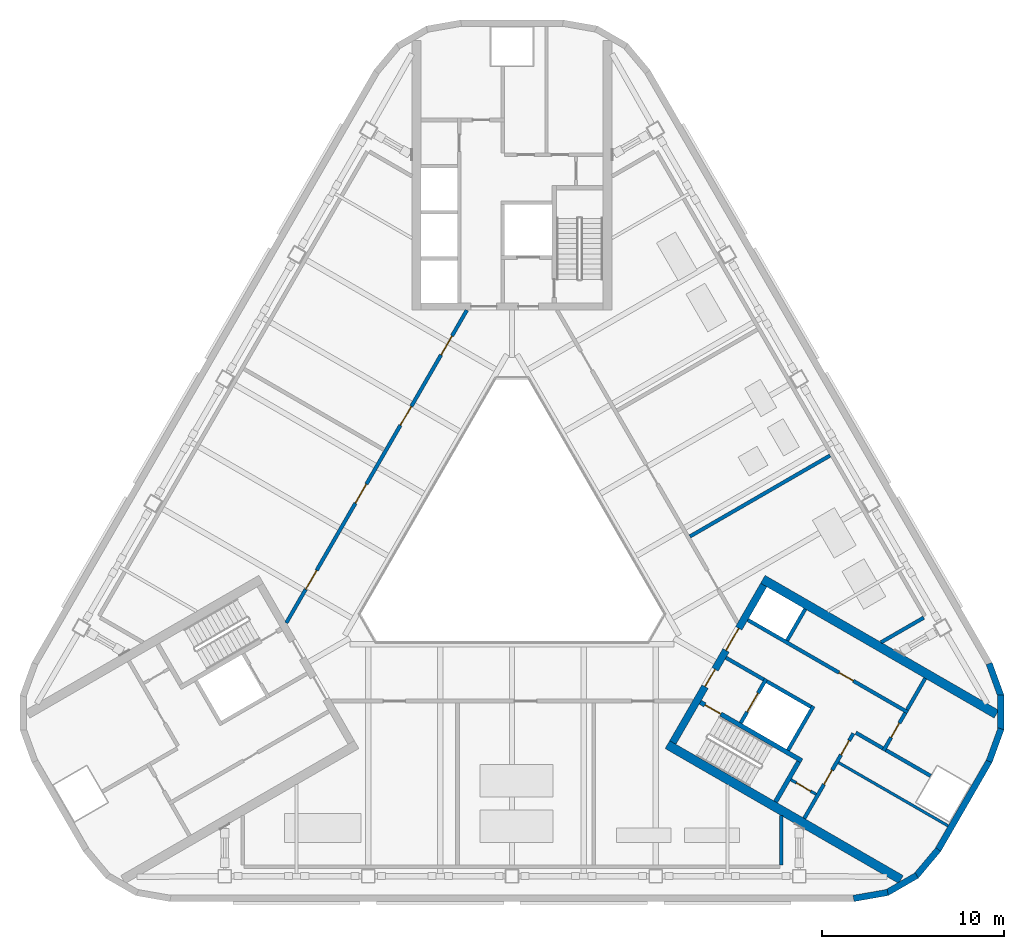
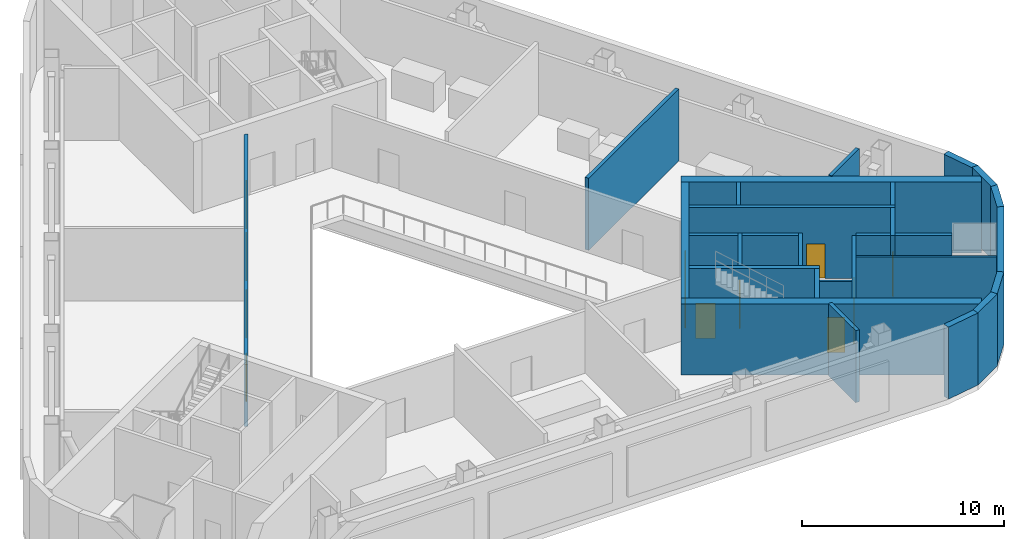
# One storey, part 7 of 14: 29 walls, 13 doors, 13 openings.
"""IFC4 building model written with IfcOpenShell, lengths in metres."""

from ifc_helpers import new_model, si_unit, direction, frame, frame_2d, origin, place, context, subcontext, project, spatial, rectangle, extrude, material, layer, layer_set, type_object, element, fill, save


model = new_model("IFC4")

# Units and contexts
model_context = context("Model", 3, precision=1e-05, world=origin(), true_north=direction((0.0, 1.0)))
body_context = subcontext(model_context, "Body", "Model", "MODEL_VIEW")
ifc_project = project(units=[si_unit("LENGTHUNIT", "METRE"), si_unit("AREAUNIT", "SQUARE_METRE"), si_unit("VOLUMEUNIT", "CUBIC_METRE"), si_unit("PLANEANGLEUNIT", "RADIAN"), si_unit("MASSUNIT", "GRAM", prefix="KILO")], contexts=[model_context])

# Site, building, storey
site_placement = place(None, origin())
site = spatial("IfcSite", under=ifc_project, at=site_placement, CompositionType="ELEMENT")
building_placement = place(site_placement, origin())
building = spatial("IfcBuilding", under=site, at=building_placement, Name="Apuvela Tower Hotel", CompositionType="ELEMENT")
storey_placement = place(building_placement, frame((0.0, 0.0, 242.199951171875)))
storey = spatial("IfcBuildingStorey", under=building, at=storey_placement, Name="L59 Plant", CompositionType="ELEMENT", Elevation=242.199951171875)

# Wall, openings, doors
ifc_material_1 = material(Name="Concrete C50/60", Category="concrete")
ifc_layer_1 = layer(ifc_material_1, 0.39990234375)
ifc_layer_set_1 = layer_set([ifc_layer_1], Name="COR-WALL-CORE-400")
wall_type_1 = type_object("IfcWallType", Name="COR-WALL-CORE-400", PredefinedType="SHEAR", material=ifc_layer_set_1)
wall_1_placement = place(storey_placement, frame((8.844970703125, -10.880126953125, 0.0), z_axis=(0.0, 0.0, 1.0), x_axis=(0.500004234368, 0.866022959057, 0.0)))
wall_1 = element("IfcWall", 1, at=wall_1_placement, inside=storey, type_object=wall_type_1, Name="Core wall SE", PredefinedType="SHEAR", context=body_context, shape_type="SweptSolid", body=[
    extrude(rectangle(XDim=10.0, YDim=0.39990234375, at=frame_2d((5.0, 0.0))), origin(), (0.0, 0.0, 1.0), 4.300048828125),
])
opening_1_placement = place(wall_1_placement, frame((3.550048828125, 0.0, 0.0)))
opening_1 = element("IfcOpeningElement", 2, at=opening_1_placement, cuts=wall_1, Name="Opening E-FD", PredefinedType="OPENING", context=body_context, shape_type="SweptSolid", body=[
    extrude(rectangle(XDim=1.10009765625, YDim=2.10009765625, at=frame_2d((0.550048828125, 1.050048828125))), frame((0.0, 0.2099609375, 0.0), z_axis=(0.0, -1.0, 0.0), x_axis=(1.0, 0.0, 0.0)), (0.0, 0.0, 1.0), 0.419921875),
])
opening_2_placement = place(wall_1_placement, frame((5.85009765625, 0.0, 0.0)))
opening_2 = element("IfcOpeningElement", 3, at=opening_2_placement, cuts=wall_1, Name="Opening E-GD", PredefinedType="OPENING", context=body_context, shape_type="SweptSolid", body=[
    extrude(rectangle(XDim=1.39990234375, YDim=2.10009765625, at=frame_2d((0.699951171875, 1.050048828125))), frame((0.0, 0.2099609375, 0.0), z_axis=(0.0, -1.0, 0.0), x_axis=(1.0, 0.0, 0.0)), (0.0, 0.0, 1.0), 0.419921875),
])
ifc_material_2 = material(Name="Steel fire door, powder coated", Category="steel")
door_type_1 = type_object("IfcDoorType", Name="COR-FD-1100", OperationType="NOTDEFINED", PredefinedType="DOOR", material=ifc_material_2)
door_1_placement = place(opening_1_placement, frame((1.10009765625, 0.0, 0.0), z_axis=(0.0, 0.0, 1.0), x_axis=(-1.0, 0.0, 0.0)))
door_1 = element("IfcDoor", 4, at=door_1_placement, inside=storey, type_object=door_type_1, Name="Firefighting lobby door E-FD", OperationType="SINGLE_SWING_LEFT", OverallHeight=2.10009765625, OverallWidth=1.10009765625, PredefinedType="DOOR", context=body_context, shape_type="SweptSolid", body=[
    extrude(rectangle(XDim=1.10009765625, YDim=2.10009765625, at=frame_2d((0.550048828125, 1.050048828125))), frame((0.0, 0.02490234375, 0.0), z_axis=(0.0, -1.0, 0.0), x_axis=(1.0, 0.0, 0.0)), (0.0, 0.0, 1.0), 0.050048828125),
])
fill(opening_1, door_1)
ifc_material_3 = material(Name="Glazed steel fire door", Category="steel")
door_type_2 = type_object("IfcDoorType", Name="COR-GD-1400", OperationType="DOUBLE_DOOR_SINGLE_SWING", PredefinedType="DOOR", material=ifc_material_3)
door_2_placement = place(opening_2_placement, frame((1.39990234375, 0.0, 0.0), z_axis=(0.0, 0.0, 1.0), x_axis=(-1.0, 0.0, 0.0)))
door_2 = element("IfcDoor", 5, at=door_2_placement, inside=storey, type_object=door_type_2, Name="Lift lobby door E-GD", OperationType="DOUBLE_DOOR_SINGLE_SWING", OverallHeight=2.10009765625, OverallWidth=1.39990234375, PredefinedType="DOOR", context=body_context, shape_type="SweptSolid", body=[
    extrude(rectangle(XDim=1.39990234375, YDim=2.10009765625, at=frame_2d((0.699951171875, 1.050048828125))), frame((0.0, 0.02490234375, 0.0), z_axis=(0.0, -1.0, 0.0), x_axis=(1.0, 0.0, 0.0)), (0.0, 0.0, 1.0), 0.050048828125),
])
fill(opening_2, door_2)

# Walls
ifc_layer_2 = layer(ifc_material_1, 0.5)
ifc_layer_set_2 = layer_set([ifc_layer_2], Name="COR-WALL-CORE-500")
wall_type_2 = type_object("IfcWallType", Name="COR-WALL-CORE-500", PredefinedType="SHEAR", material=ifc_layer_set_2)
for number, where, z_axis, x_axis, name in (
    (6, (8.546630859375, -10.99658203125, 0.0), (0.0, 0.0, 1.0), (0.866025009528, -0.500000682871, 0.0), "Core wall SE"),
    (7, (13.796630859375, -1.9033203125, 0.0), (0.0, 0.0, 1.0), (0.866025009528, -0.500000682871, 0.0), "Core wall SE"),
):
    element("IfcWall", number, at=place(storey_placement, frame(where, z_axis=z_axis, x_axis=x_axis)), inside=storey, type_object=wall_type_2, Name=name, PredefinedType="SHEAR", context=body_context, shape_type="SweptSolid", body=[
        extrude(rectangle(XDim=14.8369140625, YDim=0.5, at=frame_2d((7.41845703125, 0.0))), origin(), (0.0, 0.0, 1.0), 4.300048828125),
    ])

# Wall, opening, door
ifc_material_4 = material(Name="Blockwork 150 mm plastered", Category="masonry")
ifc_layer_3 = layer(ifc_material_4, 0.14990234375)
ifc_layer_set_3 = layer_set([ifc_layer_3], Name="COR-WALL-PART-150")
wall_type_3 = type_object("IfcWallType", Name="COR-WALL-PART-150", PredefinedType="PARTITIONING", material=ifc_layer_set_3)
wall_2_placement = place(storey_placement, frame((15.341552734375, -12.927734375, 0.0), z_axis=(0.0, 0.0, 1.0), x_axis=(0.865989903783, -0.500061482766, 0.0)))
wall_2 = element("IfcWall", 8, at=wall_2_placement, inside=storey, type_object=wall_type_3, Name="Partition SE", PredefinedType="PARTITIONING", context=body_context, shape_type="SweptSolid", body=[
    extrude(rectangle(XDim=1.599853515625, YDim=0.14990234375, at=frame_2d((0.7998046875, 0.0))), origin(), (0.0, 0.0, 1.0), 4.300048828125),
])
opening_3_placement = place(wall_2_placement, frame((0.35009765625, 0.0, 0.0)))
opening_3 = element("IfcOpeningElement", 9, at=opening_3_placement, cuts=wall_2, Name="Opening E-RD", PredefinedType="OPENING", context=body_context, shape_type="SweptSolid", body=[
    extrude(rectangle(XDim=0.89990234375, YDim=2.10009765625, at=frame_2d((0.449951171875, 1.050048828125))), frame((0.0, 0.0849609375, 0.0), z_axis=(0.0, -1.0, 0.0), x_axis=(1.0, 0.0, 0.0)), (0.0, 0.0, 1.0), 0.169921875),
])
ifc_material_5 = material(Name="Steel access door, powder coated", Category="steel")
door_type_3 = type_object("IfcDoorType", Name="COR-RD-900", OperationType="NOTDEFINED", PredefinedType="DOOR", material=ifc_material_5)
door_3_placement = place(opening_3_placement, frame((0.89990234375, 0.0, 0.0), z_axis=(0.0, 0.0, 1.0), x_axis=(-1.0, 0.0, 0.0)))
door_3 = element("IfcDoor", 10, at=door_3_placement, inside=storey, type_object=door_type_3, Name="Riser door E-RD", OperationType="SINGLE_SWING_LEFT", OverallHeight=2.10009765625, OverallWidth=0.89990234375, PredefinedType="DOOR", context=body_context, shape_type="SweptSolid", body=[
    extrude(rectangle(XDim=0.89990234375, YDim=2.10009765625, at=frame_2d((0.449951171875, 1.050048828125))), frame((0.0, 0.02490234375, 0.0), z_axis=(0.0, -1.0, 0.0), x_axis=(1.0, 0.0, 0.0)), (0.0, 0.0, 1.0), 0.050048828125),
])
fill(opening_3, door_3)

# Wall
wall_3_placement = place(storey_placement, frame((17.962890625, -11.9873046875, 0.0), z_axis=(0.0, 0.0, 1.0), x_axis=(0.866016523273, -0.500015381182, 0.0)))
element("IfcWall", 11, at=wall_3_placement, inside=storey, type_object=wall_type_3, Name="Partition SE", PredefinedType="PARTITIONING", context=body_context, shape_type="SweptSolid", body=[
    extrude(rectangle(XDim=6.949951171875, YDim=0.14990234375, at=frame_2d((3.47509765625, 0.0))), origin(), (0.0, 0.0, 1.0), 4.300048828125),
])

# Wall, openings, doors
ifc_material_6 = material(Name="Blockwork 200 mm plastered", Category="masonry")
ifc_layer_4 = layer(ifc_material_6, 0.199951171875)
ifc_layer_set_4 = layer_set([ifc_layer_4], Name="COR-WALL-PART-200")
wall_type_4 = type_object("IfcWallType", Name="COR-WALL-PART-200", PredefinedType="PARTITIONING", material=ifc_layer_set_4)
wall_4_placement = place(storey_placement, frame((16.076171875, -15.05517578125, 0.0), z_axis=(0.0, 0.0, 1.0), x_axis=(0.499995103361, 0.866028230842, 0.0)))
wall_4 = element("IfcWall", 12, at=wall_4_placement, inside=storey, type_object=wall_type_4, Name="Partition SE", PredefinedType="PARTITIONING", context=body_context, shape_type="SweptSolid", body=[
    extrude(rectangle(XDim=5.39990234375, YDim=0.199951171875, at=frame_2d((2.699951171875, 0.0))), origin(), (0.0, 0.0, 1.0), 4.300048828125),
])
opening_4_placement = place(wall_4_placement, frame((2.16259765625, 0.0, 0.0)))
opening_4 = element("IfcOpeningElement", 13, at=opening_4_placement, cuts=wall_4, Name="Opening E-RS1", PredefinedType="OPENING", context=body_context, shape_type="SweptSolid", body=[
    extrude(rectangle(XDim=0.89990234375, YDim=2.10009765625, at=frame_2d((0.449951171875, 1.050048828125))), frame((0.0, 0.10986328125, 0.0), z_axis=(0.0, -1.0, 0.0), x_axis=(1.0, 0.0, 0.0)), (0.0, 0.0, 1.0), 0.219970703125),
])
opening_5_placement = place(wall_4_placement, frame((4.03759765625, 0.0, 0.0)))
opening_5 = element("IfcOpeningElement", 14, at=opening_5_placement, cuts=wall_4, Name="Opening E-RS2", PredefinedType="OPENING", context=body_context, shape_type="SweptSolid", body=[
    extrude(rectangle(XDim=0.89990234375, YDim=2.10009765625, at=frame_2d((0.449951171875, 1.050048828125))), frame((0.0, 0.10986328125, 0.0), z_axis=(0.0, -1.0, 0.0), x_axis=(1.0, 0.0, 0.0)), (0.0, 0.0, 1.0), 0.219970703125),
])
door_type_4 = type_object("IfcDoorType", Name="COR-DR-900", OperationType="NOTDEFINED", PredefinedType="DOOR", material=ifc_material_2)
door_4_placement = place(opening_4_placement, frame((0.89990234375, 0.0, 0.0), z_axis=(0.0, 0.0, 1.0), x_axis=(-1.0, 0.0, 0.0)))
door_4 = element("IfcDoor", 15, at=door_4_placement, inside=storey, type_object=door_type_4, Name="Store door E-RS1", OperationType="SINGLE_SWING_LEFT", OverallHeight=2.10009765625, OverallWidth=0.89990234375, PredefinedType="DOOR", context=body_context, shape_type="SweptSolid", body=[
    extrude(rectangle(XDim=0.89990234375, YDim=2.10009765625, at=frame_2d((0.449951171875, 1.050048828125))), frame((0.0, 0.02490234375, 0.0), z_axis=(0.0, -1.0, 0.0), x_axis=(1.0, 0.0, 0.0)), (0.0, 0.0, 1.0), 0.050048828125),
])
fill(opening_4, door_4)
door_5_placement = place(opening_5_placement, frame((0.89990234375, 0.0, 0.0), z_axis=(0.0, 0.0, 1.0), x_axis=(-1.0, 0.0, 0.0)))
door_5 = element("IfcDoor", 16, at=door_5_placement, inside=storey, type_object=door_type_4, Name="Store door E-RS2", OperationType="SINGLE_SWING_LEFT", OverallHeight=2.10009765625, OverallWidth=0.89990234375, PredefinedType="DOOR", context=body_context, shape_type="SweptSolid", body=[
    extrude(rectangle(XDim=0.89990234375, YDim=2.10009765625, at=frame_2d((0.449951171875, 1.050048828125))), frame((0.0, 0.02490234375, 0.0), z_axis=(0.0, -1.0, 0.0), x_axis=(1.0, 0.0, 0.0)), (0.0, 0.0, 1.0), 0.050048828125),
])
fill(opening_5, door_5)

# Wall
ifc_layer_5 = layer(ifc_material_1, 0.199951171875)
ifc_layer_set_5 = layer_set([ifc_layer_5], Name="COR-WALL-SHAFT-200")
wall_type_5 = type_object("IfcWallType", Name="COR-WALL-SHAFT-200", PredefinedType="SHEAR", material=ifc_layer_set_5)
wall_5_placement = place(storey_placement, frame((15.181396484375, -11.305419921875, 0.0), z_axis=(0.0, 0.0, 1.0), x_axis=(0.49994636267, 0.866056369097, 0.0)))
element("IfcWall", 17, at=wall_5_placement, inside=storey, type_object=wall_type_5, Name="Shaft wall SE", PredefinedType="SHEAR", context=body_context, shape_type="SweptSolid", body=[
    extrude(rectangle(XDim=2.800048828125, YDim=0.199951171875, at=frame_2d((1.39990234375, 0.0))), origin(), (0.0, 0.0, 1.0), 4.300048828125),
])

# Wall, opening, door
wall_6_placement = place(storey_placement, frame((12.583251953125, -9.805419921875, 0.0), z_axis=(0.0, 0.0, 1.0), x_axis=(0.49994636267, 0.866056369097, 0.0)))
wall_6 = element("IfcWall", 18, at=wall_6_placement, inside=storey, type_object=wall_type_5, Name="Shaft wall SE", PredefinedType="SHEAR", context=body_context, shape_type="SweptSolid", body=[
    extrude(rectangle(XDim=2.800048828125, YDim=0.199951171875, at=frame_2d((1.39990234375, 0.0))), origin(), (0.0, 0.0, 1.0), 4.300048828125),
])
opening_6_placement = place(wall_6_placement, frame((0.699951171875, 0.0, 0.0)))
opening_6 = element("IfcOpeningElement", 19, at=opening_6_placement, cuts=wall_6, Name="Opening E-LD-FS3", PredefinedType="OPENING", context=body_context, shape_type="SweptSolid", body=[
    extrude(rectangle(XDim=1.199951171875, YDim=2.10009765625, at=frame_2d((0.60009765625, 1.050048828125))), frame((0.0, 0.10986328125, 0.0), z_axis=(0.0, -1.0, 0.0), x_axis=(1.0, 0.0, 0.0)), (0.0, 0.0, 1.0), 0.219970703125),
])
ifc_material_7 = material(Name="Stainless steel lift landing door", Category="steel")
door_type_5 = type_object("IfcDoorType", Name="COR-LD-1200", OperationType="DOUBLE_DOOR_SLIDING", PredefinedType="DOOR", material=ifc_material_7)
door_6_placement = place(opening_6_placement, origin())
door_6 = element("IfcDoor", 20, at=door_6_placement, inside=storey, type_object=door_type_5, Name="Lift landing door E-LD-FS3", OperationType="DOUBLE_DOOR_SLIDING", OverallHeight=2.10009765625, OverallWidth=1.199951171875, PredefinedType="DOOR", context=body_context, shape_type="SweptSolid", body=[
    extrude(rectangle(XDim=1.199951171875, YDim=2.10009765625, at=frame_2d((0.60009765625, 1.050048828125))), frame((0.0, 0.02490234375, 0.0), z_axis=(0.0, -1.0, 0.0), x_axis=(1.0, 0.0, 0.0)), (0.0, 0.0, 1.0), 0.050048828125),
])
fill(opening_6, door_6)

# Walls
wall_7_placement = place(storey_placement, frame((11.76806640625, -6.217041015625, 0.0), z_axis=(0.0, 0.0, 1.0), x_axis=(0.866050077142, -0.499957262057, 0.0)))
element("IfcWall", 21, at=wall_7_placement, inside=storey, type_object=wall_type_5, Name="Shaft wall SE", PredefinedType="SHEAR", context=body_context, shape_type="SweptSolid", body=[
    extrude(rectangle(XDim=2.400146484375, YDim=0.199951171875, at=frame_2d((1.2001953125, 0.0))), origin(), (0.0, 0.0, 1.0), 4.300048828125),
])
wall_8_placement = place(storey_placement, frame((14.019775390625, -7.51708984375, 0.0), z_axis=(0.0, 0.0, 1.0), x_axis=(0.866034573852, -0.49998411664, 0.0)))
element("IfcWall", 22, at=wall_8_placement, inside=storey, type_object=wall_type_5, Name="Shaft wall SE", PredefinedType="SHEAR", context=body_context, shape_type="SweptSolid", body=[
    extrude(rectangle(XDim=2.7998046875, YDim=0.199951171875, at=frame_2d((1.39990234375, 0.0))), origin(), (0.0, 0.0, 1.0), 4.300048828125),
])

# Wall, opening, door
wall_9_placement = place(storey_placement, frame((12.968017578125, -4.138427734375, 0.0), z_axis=(0.0, 0.0, 1.0), x_axis=(0.866028328073, -0.49999493495, 0.0)))
wall_9 = element("IfcWall", 23, at=wall_9_placement, inside=storey, type_object=wall_type_5, Name="Shaft wall SE", PredefinedType="SHEAR", context=body_context, shape_type="SweptSolid", body=[
    extrude(rectangle(XDim=10.16015625, YDim=0.199951171875, at=frame_2d((5.080078125, 0.0))), origin(), (0.0, 0.0, 1.0), 4.300048828125),
])
opening_7_placement = place(wall_9_placement, frame((5.800048828125, 0.0, 0.0)))
opening_7 = element("IfcOpeningElement", 24, at=opening_7_placement, cuts=wall_9, Name="Opening E-RE2", PredefinedType="OPENING", context=body_context, shape_type="SweptSolid", body=[
    extrude(rectangle(XDim=0.89990234375, YDim=2.10009765625, at=frame_2d((0.449951171875, 1.050048828125))), frame((0.0, 0.10986328125, 0.0), z_axis=(0.0, -1.0, 0.0), x_axis=(1.0, 0.0, 0.0)), (0.0, 0.0, 1.0), 0.219970703125),
])
door_7_placement = place(opening_7_placement, origin())
door_7 = element("IfcDoor", 25, at=door_7_placement, inside=storey, type_object=door_type_4, Name="Store door E-RE2", OperationType="SINGLE_SWING_LEFT", OverallHeight=2.10009765625, OverallWidth=0.89990234375, PredefinedType="DOOR", context=body_context, shape_type="SweptSolid", body=[
    extrude(rectangle(XDim=0.89990234375, YDim=2.10009765625, at=frame_2d((0.449951171875, 1.050048828125))), frame((0.0, 0.02490234375, 0.0), z_axis=(0.0, -1.0, 0.0), x_axis=(1.0, 0.0, 0.0)), (0.0, 0.0, 1.0), 0.050048828125),
])
fill(opening_7, door_7)

wall_10_placement = place(storey_placement, frame((20.430419921875, -11.33349609375, 0.0), z_axis=(0.0, 0.0, 1.0), x_axis=(0.500001309137, 0.866024647952, 0.0)))
wall_10 = element("IfcWall", 26, at=wall_10_placement, inside=storey, type_object=wall_type_5, Name="Shaft wall SE", PredefinedType="SHEAR", context=body_context, shape_type="SweptSolid", body=[
    extrude(rectangle(XDim=2.39990234375, YDim=0.199951171875, at=frame_2d((1.199951171875, 0.0))), origin(), (0.0, 0.0, 1.0), 4.300048828125),
])
opening_8_placement = place(wall_10_placement, frame((0.85009765625, 0.0, 0.0)))
opening_8 = element("IfcOpeningElement", 27, at=opening_8_placement, cuts=wall_10, Name="Opening E-REP", PredefinedType="OPENING", context=body_context, shape_type="SweptSolid", body=[
    extrude(rectangle(XDim=0.89990234375, YDim=2.10009765625, at=frame_2d((0.449951171875, 1.050048828125))), frame((0.0, 0.10986328125, 0.0), z_axis=(0.0, -1.0, 0.0), x_axis=(1.0, 0.0, 0.0)), (0.0, 0.0, 1.0), 0.219970703125),
])
door_8_placement = place(opening_8_placement, frame((0.89990234375, 0.0, 0.0), z_axis=(0.0, 0.0, 1.0), x_axis=(-1.0, 0.0, 0.0)))
door_8 = element("IfcDoor", 28, at=door_8_placement, inside=storey, type_object=door_type_4, Name="Store door E-REP", OperationType="SINGLE_SWING_RIGHT", OverallHeight=2.10009765625, OverallWidth=0.89990234375, PredefinedType="DOOR", context=body_context, shape_type="SweptSolid", body=[
    extrude(rectangle(XDim=0.89990234375, YDim=2.10009765625, at=frame_2d((0.449951171875, 1.050048828125))), frame((0.0, 0.02490234375, 0.0), z_axis=(0.0, -1.0, 0.0), x_axis=(1.0, 0.0, 0.0)), (0.0, 0.0, 1.0), 0.050048828125),
])
fill(opening_8, door_8)

# Walls
wall_11_placement = place(storey_placement, frame((18.912841796875, -10.342041015625, 0.0), z_axis=(0.0, 0.0, 1.0), x_axis=(0.866038183914, -0.499977863513, 0.0)))
element("IfcWall", 29, at=wall_11_placement, inside=storey, type_object=wall_type_5, Name="Shaft wall SE", PredefinedType="SHEAR", context=body_context, shape_type="SweptSolid", body=[
    extrude(rectangle(XDim=1.7099609375, YDim=0.199951171875, at=frame_2d((0.85498046875, 0.0))), origin(), (0.0, 0.0, 1.0), 4.300048828125),
])
for number, where, z_axis, x_axis, name in (
    (30, (15.131103515625, -5.27197265625, 0.0), (0.0, 0.0, 1.0), (0.499972520799, 0.866041268327, 0.0), "Shaft wall SE"),
    (31, (21.73046875, -9.081787109375, 0.0), (0.0, 0.0, 1.0), (0.50002537861, 0.866010750942, 0.0), "Shaft wall SE"),
):
    element("IfcWall", number, at=place(storey_placement, frame(where, z_axis=z_axis, x_axis=x_axis)), inside=storey, type_object=wall_type_5, Name=name, PredefinedType="SHEAR", context=body_context, shape_type="SweptSolid", body=[
        extrude(rectangle(XDim=2.0, YDim=0.199951171875, at=frame_2d((1.0, 0.0))), origin(), (0.0, 0.0, 1.0), 4.300048828125),
    ])
wall_12_placement = place(storey_placement, frame((20.56689453125, -11.297119140625, 0.0), z_axis=(0.0, 0.0, 1.0), x_axis=(0.866055327414, -0.49994816717, 0.0)))
element("IfcWall", 32, at=wall_12_placement, inside=storey, type_object=wall_type_5, Name="Shaft wall SE", PredefinedType="SHEAR", context=body_context, shape_type="SweptSolid", body=[
    extrude(rectangle(XDim=2.840087890625, YDim=0.199951171875, at=frame_2d((1.419921875, 0.0))), origin(), (0.0, 0.0, 1.0), 4.300048828125),
])

# Wall, opening, door
ifc_layer_6 = layer(ifc_material_1, 0.25)
ifc_layer_set_6 = layer_set([ifc_layer_6], Name="COR-WALL-STAIR-250")
wall_type_6 = type_object("IfcWallType", Name="COR-WALL-STAIR-250", PredefinedType="SHEAR", material=ifc_layer_set_6)
wall_13_placement = place(storey_placement, frame((10.355712890625, -8.66357421875, 0.0), z_axis=(0.0, 0.0, 1.0), x_axis=(0.866028629588, -0.499994412703, 0.0)))
wall_13 = element("IfcWall", 33, at=wall_13_placement, inside=storey, type_object=wall_type_6, Name="Stair wall SE", PredefinedType="SHEAR", context=body_context, shape_type="SweptSolid", body=[
    extrude(rectangle(XDim=6.44970703125, YDim=0.25, at=frame_2d((3.224853515625, 0.0))), origin(), (0.0, 0.0, 1.0), 4.300048828125),
])
opening_9_placement = place(wall_13_placement, frame((0.300048828125, 0.0, 0.0)))
opening_9 = element("IfcOpeningElement", 34, at=opening_9_placement, cuts=wall_13, Name="Opening E-SD", PredefinedType="OPENING", context=body_context, shape_type="SweptSolid", body=[
    extrude(rectangle(XDim=1.0, YDim=2.10009765625, at=frame_2d((0.5, 1.050048828125))), frame((0.0, 0.135009765625, 0.0), z_axis=(0.0, -1.0, 0.0), x_axis=(1.0, 0.0, 0.0)), (0.0, 0.0, 1.0), 0.27001953125),
])
door_type_6 = type_object("IfcDoorType", Name="COR-SD-1000", OperationType="NOTDEFINED", PredefinedType="DOOR", material=ifc_material_2)
door_9_placement = place(opening_9_placement, frame((1.0, 0.0, 0.0), z_axis=(0.0, 0.0, 1.0), x_axis=(-1.0, 0.0, 0.0)))
door_9 = element("IfcDoor", 35, at=door_9_placement, inside=storey, type_object=door_type_6, Name="Stair door E-SD", OperationType="SINGLE_SWING_LEFT", OverallHeight=2.10009765625, OverallWidth=1.0, PredefinedType="DOOR", context=body_context, shape_type="SweptSolid", body=[
    extrude(rectangle(XDim=1.0, YDim=2.10009765625, at=frame_2d((0.5, 1.050048828125))), frame((0.0, 0.02490234375, 0.0), z_axis=(0.0, -1.0, 0.0), x_axis=(1.0, 0.0, 0.0)), (0.0, 0.0, 1.0), 0.050048828125),
])
fill(opening_9, door_9)

# Walls
wall_14_placement = place(storey_placement, frame((14.49560546875, -14.142578125, 0.0), z_axis=(0.0, 0.0, 1.0), x_axis=(0.500062241894, 0.865989465428, 0.0)))
element("IfcWall", 36, at=wall_14_placement, inside=storey, type_object=wall_type_6, Name="Stair wall SE", PredefinedType="SHEAR", context=body_context, shape_type="SweptSolid", body=[
    extrude(rectangle(XDim=2.550048828125, YDim=0.25, at=frame_2d((1.27490234375, 0.0))), origin(), (0.0, 0.0, 1.0), 4.300048828125),
])
ifc_material_8 = material(Name="Concrete C40/50, dark pigmented precast panel", Category="concrete")
ifc_layer_7 = layer(ifc_material_8, 0.35009765625)
ifc_layer_set_7 = layer_set([ifc_layer_7], Name="ENV-WALL-350")
wall_type_7 = type_object("IfcWallType", Name="ENV-WALL-350", PredefinedType="SOLIDWALL", material=ifc_layer_set_7)
wall_15_placement = place(storey_placement, frame((18.785400390625, -19.457763671875, 0.0), z_axis=(0.0, 0.0, 1.0), x_axis=(0.984798995425, 0.173697837091, 0.0)))
element("IfcWall", 37, at=wall_15_placement, inside=storey, type_object=wall_type_7, Name="External wall L59 Plant-16", PredefinedType="SOLIDWALL", context=body_context, shape_type="SweptSolid", body=[
    extrude(rectangle(XDim=1.91015625, YDim=0.35009765625, at=frame_2d((0.955078125, 0.0))), origin(), (0.0, 0.0, 1.0), 4.35009765625),
])
for number, where, z_axis, x_axis, name in (
    (38, (20.609619140625, -19.146728515625, 0.0), (0.0, 0.0, 1.0), (0.866000389056, 0.500043324278, 0.0), "External wall L59 Plant-17"),
    (39, (22.217041015625, -18.230712890625, 0.0), (0.0, 0.0, 1.0), (0.642808304945, 0.766027077259, 0.0), "External wall L59 Plant-18"),
):
    element("IfcWall", number, at=place(storey_placement, frame(where, z_axis=z_axis, x_axis=x_axis)), inside=storey, type_object=wall_type_7, Name=name, PredefinedType="SOLIDWALL", context=body_context, shape_type="SweptSolid", body=[
        extrude(rectangle(XDim=1.909912109375, YDim=0.35009765625, at=frame_2d((0.955078125, 0.0))), origin(), (0.0, 0.0, 1.0), 4.35009765625),
    ])
wall_16_placement = place(storey_placement, frame((23.427490234375, -16.79248046875, 0.0), z_axis=(0.0, 0.0, 1.0), x_axis=(0.499986410639, 0.866033249463, 0.0)))
element("IfcWall", 40, at=wall_16_placement, inside=storey, type_object=wall_type_7, Name="External wall L59 Plant-19", PredefinedType="SOLIDWALL", context=body_context, shape_type="SweptSolid", body=[
    extrude(rectangle(XDim=5.657958984375, YDim=0.35009765625, at=frame_2d((2.8291015625, 0.0))), origin(), (0.0, 0.0, 1.0), 4.35009765625),
])
for number, where, z_axis, x_axis, name in (
    (41, (26.24365234375, -11.920166015625, 0.0), (0.0, 0.0, 1.0), (0.342030395486, 0.939688889242, 0.0), "External wall L59 Plant-20"),
    (42, (26.88623046875, -10.18505859375, 0.0), (0.0, 0.0, 1.0), (0.0, 1.0, 0.0), "External wall L59 Plant-21"),
    (43, (26.89697265625, -8.334716796875, 0.0), (0.0, 0.0, 1.0), (-0.342030395486, 0.939688889242, 0.0), "External wall L59 Plant-22"),
):
    element("IfcWall", number, at=place(storey_placement, frame(where, z_axis=z_axis, x_axis=x_axis)), inside=storey, type_object=wall_type_7, Name=name, PredefinedType="SOLIDWALL", context=body_context, shape_type="SweptSolid", body=[
        extrude(rectangle(XDim=1.91015625, YDim=0.35009765625, at=frame_2d((0.955078125, 0.0))), origin(), (0.0, 0.0, 1.0), 4.35009765625),
    ])
ifc_material_9 = material(Name="Reinforced blockwork B15", Category="masonry")
ifc_layer_8 = layer(ifc_material_9, 0.199951171875)
ifc_layer_set_8 = layer_set([ifc_layer_8], Name="SPC-WALL-PLANT")
wall_type_8 = type_object("IfcWallType", Name="SPC-WALL-PLANT", PredefinedType="PARTITIONING", material=ifc_layer_set_8)
wall_17_placement = place(storey_placement, frame((14.800048828125, -17.60498046875, 0.0), z_axis=(0.0, 0.0, 1.0), x_axis=(0.0, 1.0, 0.0)))
element("IfcWall", 44, at=wall_17_placement, inside=storey, type_object=wall_type_8, Name="Wall L59-S-P06", PredefinedType="PARTITIONING", context=body_context, shape_type="SweptSolid", body=[
    extrude(rectangle(XDim=2.70947265625, YDim=0.199951171875, at=frame_2d((1.354736328125, 0.0))), origin(), (0.0, 0.0, 1.0), 4.35009765625),
])
wall_18_placement = place(storey_placement, frame((22.646484375, -4.0146484375, 0.0), z_axis=(0.0, 0.0, 1.0), x_axis=(-0.866044551023, -0.499966834543, 0.0)))
element("IfcWall", 45, at=wall_18_placement, inside=storey, type_object=wall_type_8, Name="Wall L59-NE-P03", PredefinedType="PARTITIONING", context=body_context, shape_type="SweptSolid", body=[
    extrude(rectangle(XDim=2.709716796875, YDim=0.199951171875, at=frame_2d((1.35498046875, 0.0))), origin(), (0.0, 0.0, 1.0), 4.35009765625),
])
wall_19_placement = place(storey_placement, frame((17.496337890625, 4.905517578125, 0.0), z_axis=(0.0, 0.0, 1.0), x_axis=(-0.866017572094, -0.50001356464, 0.0)))
element("IfcWall", 46, at=wall_19_placement, inside=storey, type_object=wall_type_8, Name="Wall L59-NE-P04", PredefinedType="PARTITIONING", context=body_context, shape_type="SweptSolid", body=[
    extrude(rectangle(XDim=8.905029296875, YDim=0.199951171875, at=frame_2d((4.45263671875, 0.0))), origin(), (0.0, 0.0, 1.0), 4.35009765625),
])

# Wall, openings, doors
wall_20_placement = place(storey_placement, frame((-2.482421875, 12.900146484375, 0.0), z_axis=(0.0, 0.0, 1.0), x_axis=(-0.50000478328, -0.866022642139, 0.0)))
wall_20 = element("IfcWall", 47, at=wall_20_placement, inside=storey, type_object=wall_type_8, Name="Wall L59-NW-CW", PredefinedType="PARTITIONING", context=body_context, shape_type="SweptSolid", body=[
    extrude(rectangle(XDim=19.861083984375, YDim=0.199951171875, at=frame_2d((9.9306640625, 0.0))), origin(), (0.0, 0.0, 1.0), 3.75),
])
opening_10_placement = place(wall_20_placement, frame((1.635498046875, 0.0, 0.0)))
opening_10 = element("IfcOpeningElement", 48, at=opening_10_placement, cuts=wall_20, Name="Opening L59-S07", PredefinedType="OPENING", context=body_context, shape_type="SweptSolid", body=[
    extrude(rectangle(XDim=1.199951171875, YDim=2.10009765625, at=frame_2d((0.60009765625, 1.050048828125))), frame((0.0, 0.10986328125, 0.0), z_axis=(0.0, -1.0, 0.0), x_axis=(1.0, 0.0, 0.0)), (0.0, 0.0, 1.0), 0.219970703125),
])
opening_11_placement = place(wall_20_placement, frame((6.106689453125, 0.0, 0.0)))
opening_11 = element("IfcOpeningElement", 49, at=opening_11_placement, cuts=wall_20, Name="Opening L59-S08", PredefinedType="OPENING", context=body_context, shape_type="SweptSolid", body=[
    extrude(rectangle(XDim=1.199951171875, YDim=2.10009765625, at=frame_2d((0.60009765625, 1.050048828125))), frame((0.0, 0.10986328125, 0.0), z_axis=(0.0, -1.0, 0.0), x_axis=(1.0, 0.0, 0.0)), (0.0, 0.0, 1.0), 0.219970703125),
])
opening_12_placement = place(wall_20_placement, frame((11.054443359375, 0.0, 0.0)))
opening_12 = element("IfcOpeningElement", 50, at=opening_12_placement, cuts=wall_20, Name="Opening L59-S09", PredefinedType="OPENING", context=body_context, shape_type="SweptSolid", body=[
    extrude(rectangle(XDim=1.199951171875, YDim=2.10009765625, at=frame_2d((0.60009765625, 1.050048828125))), frame((0.0, 0.10986328125, 0.0), z_axis=(0.0, -1.0, 0.0), x_axis=(1.0, 0.0, 0.0)), (0.0, 0.0, 1.0), 0.219970703125),
])
opening_13_placement = place(wall_20_placement, frame((16.525634765625, 0.0, 0.0)))
opening_13 = element("IfcOpeningElement", 51, at=opening_13_placement, cuts=wall_20, Name="Opening L59-S10", PredefinedType="OPENING", context=body_context, shape_type="SweptSolid", body=[
    extrude(rectangle(XDim=1.199951171875, YDim=2.10009765625, at=frame_2d((0.60009765625, 1.050048828125))), frame((0.0, 0.10986328125, 0.0), z_axis=(0.0, -1.0, 0.0), x_axis=(1.0, 0.0, 0.0)), (0.0, 0.0, 1.0), 0.219970703125),
])
ifc_material_10 = material(Name="Steel fire door leaf", Category="steel")
door_type_7 = type_object("IfcDoorType", Name="SPC-DOOR-1200-REFUGE", OperationType="NOTDEFINED", PredefinedType="DOOR", material=ifc_material_10)
door_10_placement = place(opening_10_placement, origin())
door_10 = element("IfcDoor", 52, at=door_10_placement, inside=storey, type_object=door_type_7, Name="L59-S07", OperationType="SINGLE_SWING_LEFT", OverallHeight=2.10009765625, OverallWidth=1.199951171875, PredefinedType="DOOR", context=body_context, shape_type="SweptSolid", body=[
    extrude(rectangle(XDim=1.199951171875, YDim=2.10009765625, at=frame_2d((0.60009765625, 1.050048828125))), frame((0.0, 0.02490234375, 0.0), z_axis=(0.0, -1.0, 0.0), x_axis=(1.0, 0.0, 0.0)), (0.0, 0.0, 1.0), 0.050048828125),
])
fill(opening_10, door_10)
door_11_placement = place(opening_11_placement, origin())
door_11 = element("IfcDoor", 53, at=door_11_placement, inside=storey, type_object=door_type_7, Name="L59-S08", OperationType="SINGLE_SWING_RIGHT", OverallHeight=2.10009765625, OverallWidth=1.199951171875, PredefinedType="DOOR", context=body_context, shape_type="SweptSolid", body=[
    extrude(rectangle(XDim=1.199951171875, YDim=2.10009765625, at=frame_2d((0.60009765625, 1.050048828125))), frame((0.0, 0.02490234375, 0.0), z_axis=(0.0, -1.0, 0.0), x_axis=(1.0, 0.0, 0.0)), (0.0, 0.0, 1.0), 0.050048828125),
])
fill(opening_11, door_11)
door_12_placement = place(opening_12_placement, origin())
door_12 = element("IfcDoor", 54, at=door_12_placement, inside=storey, type_object=door_type_7, Name="L59-S09", OperationType="SINGLE_SWING_LEFT", OverallHeight=2.10009765625, OverallWidth=1.199951171875, PredefinedType="DOOR", context=body_context, shape_type="SweptSolid", body=[
    extrude(rectangle(XDim=1.199951171875, YDim=2.10009765625, at=frame_2d((0.60009765625, 1.050048828125))), frame((0.0, 0.02490234375, 0.0), z_axis=(0.0, -1.0, 0.0), x_axis=(1.0, 0.0, 0.0)), (0.0, 0.0, 1.0), 0.050048828125),
])
fill(opening_12, door_12)
door_13_placement = place(opening_13_placement, origin())
door_13 = element("IfcDoor", 55, at=door_13_placement, inside=storey, type_object=door_type_7, Name="L59-S10", OperationType="SINGLE_SWING_RIGHT", OverallHeight=2.10009765625, OverallWidth=1.199951171875, PredefinedType="DOOR", context=body_context, shape_type="SweptSolid", body=[
    extrude(rectangle(XDim=1.199951171875, YDim=2.10009765625, at=frame_2d((0.60009765625, 1.050048828125))), frame((0.0, 0.02490234375, 0.0), z_axis=(0.0, -1.0, 0.0), x_axis=(1.0, 0.0, 0.0)), (0.0, 0.0, 1.0), 0.050048828125),
])
fill(opening_13, door_13)

save(model, "model.ifc")
